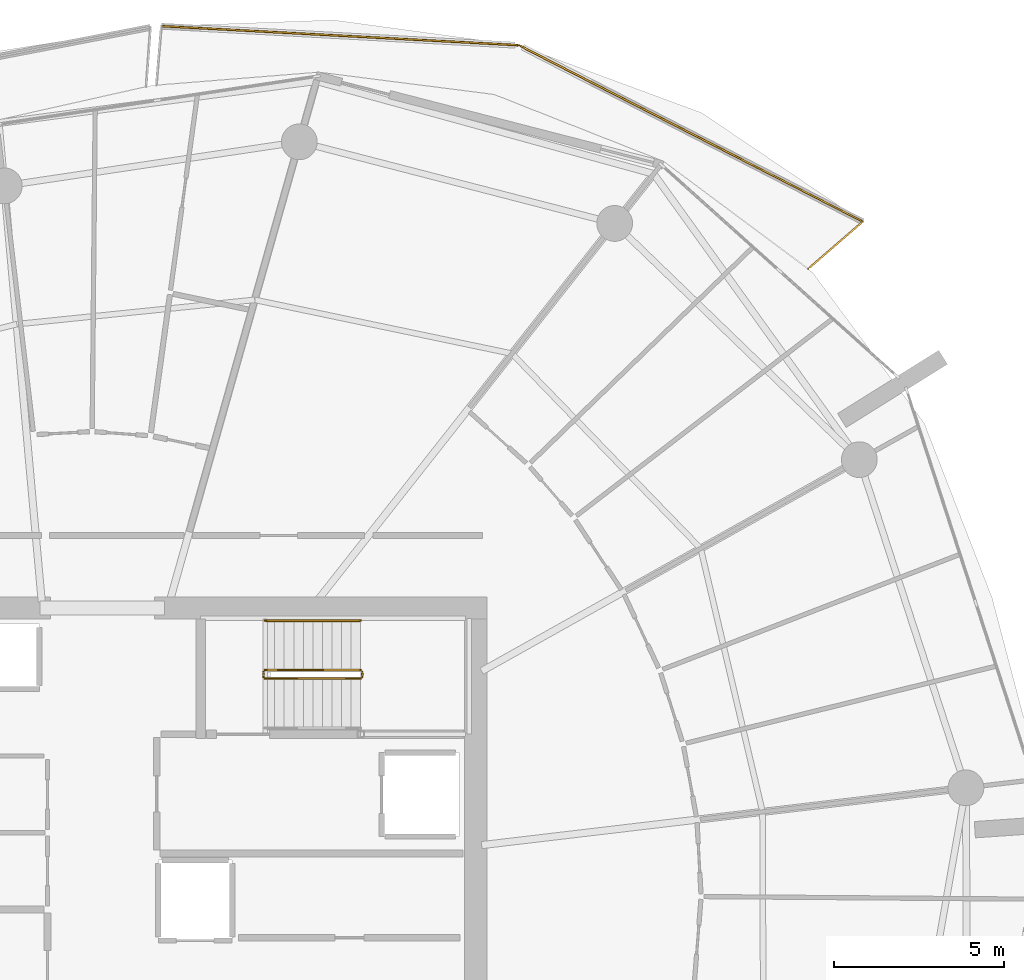
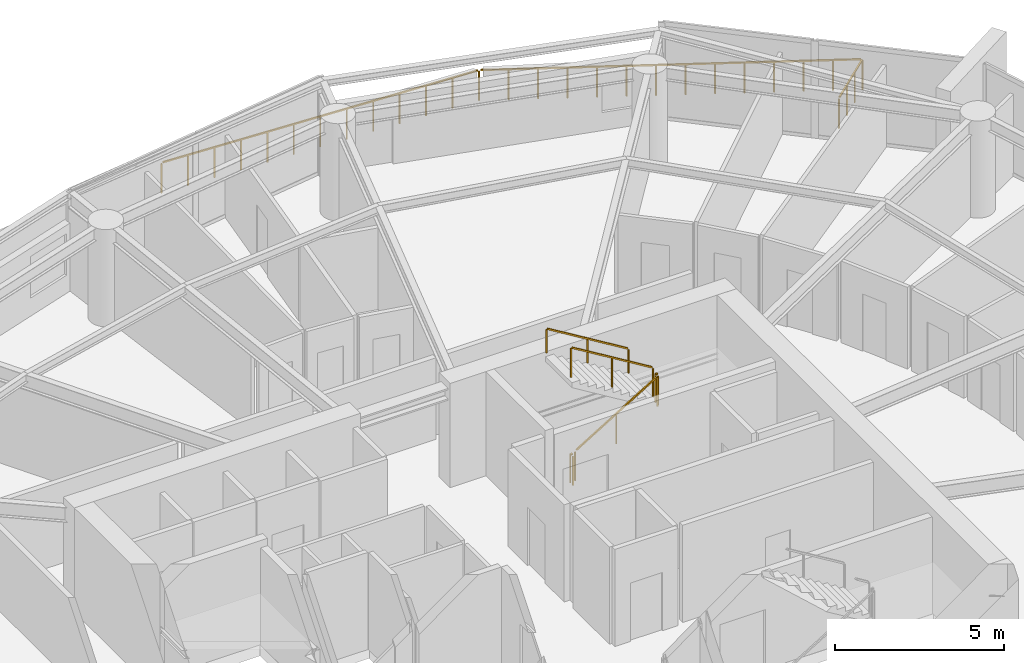
# One storey, part 21 of 21: 8 railings.
"""IFC4 building model written with IfcOpenShell, lengths in metres."""

from ifc_helpers import new_model, si_unit, direction, frame, origin, origin_2d, place, context, subcontext, project, spatial, rectangle, extrude, material, type_object, element, save


model = new_model("IFC4")

# Units and contexts
model_context = context("Model", 3, precision=1e-05, world=origin(), true_north=direction((0.0, 1.0)))
body_context = subcontext(model_context, "Body", "Model", "MODEL_VIEW")
ifc_project = project(units=[si_unit("LENGTHUNIT", "METRE"), si_unit("AREAUNIT", "SQUARE_METRE"), si_unit("VOLUMEUNIT", "CUBIC_METRE"), si_unit("PLANEANGLEUNIT", "RADIAN"), si_unit("MASSUNIT", "GRAM", prefix="KILO")], contexts=[model_context])

# Site, building, storey
site_placement = place(None, origin())
site = spatial("IfcSite", under=ifc_project, at=site_placement, CompositionType="ELEMENT")
building_placement = place(site_placement, origin())
building = spatial("IfcBuilding", under=site, at=building_placement, Name="Kazma Halo Residences", CompositionType="ELEMENT")
storey_placement = place(building_placement, frame((0.0, 0.0, 176.550048828125)))
storey = spatial("IfcBuildingStorey", under=building, at=storey_placement, Name="L44", CompositionType="ELEMENT", Elevation=176.550048828125)

# Railings
ifc_material_1 = material(Name="Aluminium AW-6063 T6 Brushed Cap Rail", Category="aluminium")
railing_type_1 = type_object("IfcRailingType", Name="RLG-BAL-CAP-1120", PredefinedType="BALUSTRADE", material=ifc_material_1)
railing_1_placement = place(storey_placement, frame((69.130126953125, 60.271240234375, 0.0)))
element("IfcRailing", 1, at=railing_1_placement, inside=storey, type_object=railing_type_1, Name="L44 NE wave balcony guard 1", PredefinedType="BALUSTRADE", context=body_context, shape_type="SweptSolid", body=[
    extrude(rectangle(XDim=0.050048828125, YDim=0.050048828125, at=origin_2d()), frame((0.0322265625, 0.02783203125, 1.09521484375), z_axis=(0.756463763216, 0.654035606783, 0.0), x_axis=(-0.654035606783, 0.756463763216, 0.0)), (0.0, 0.0, 1.0), 2.0244140625),
    extrude(rectangle(XDim=0.0400390625, YDim=0.0400390625, at=origin_2d()), origin(), (0.0, 0.0, 1.0), 1.05810546875),
    extrude(rectangle(XDim=0.0400390625, YDim=0.0400390625, at=origin_2d()), frame((0.531982421875, 0.4599609375, 0.0)), (0.0, 0.0, 1.0), 1.05810546875),
    extrude(rectangle(XDim=0.0400390625, YDim=0.0400390625, at=origin_2d()), frame((1.063720703125, 0.919677734375, 0.0)), (0.0, 0.0, 1.0), 1.05810546875),
    extrude(rectangle(XDim=0.0400390625, YDim=0.0400390625, at=origin_2d()), frame((1.595703125, 1.379638671875, 0.0)), (0.0, 0.0, 1.0), 1.05810546875),
])
railing_2_placement = place(storey_placement, frame((70.725830078125, 61.65087890625, 0.0)))
element("IfcRailing", 2, at=railing_2_placement, inside=storey, type_object=railing_type_1, Name="L44 NE wave balcony guard 2", PredefinedType="BALUSTRADE", context=body_context, shape_type="SweptSolid", body=[
    extrude(rectangle(XDim=0.050048828125, YDim=0.050048828125, at=origin_2d()), frame((-0.037841796875, 0.01953125, 1.09521484375), z_axis=(-0.889661682409, 0.456620291766, 0.0), x_axis=(-0.456620291766, -0.889661682409, 0.0)), (0.0, 0.0, 1.0), 11.242431640625),
    extrude(rectangle(XDim=0.0400390625, YDim=0.0400390625, at=origin_2d()), origin(), (0.0, 0.0, 1.0), 1.05810546875),
    extrude(rectangle(XDim=0.0400390625, YDim=0.0400390625, at=origin_2d()), frame((-0.775146484375, 0.39794921875, 0.0)), (0.0, 0.0, 1.0), 1.05810546875),
    extrude(rectangle(XDim=0.0400390625, YDim=0.0400390625, at=origin_2d()), frame((-1.55029296875, 0.795654296875, 0.0)), (0.0, 0.0, 1.0), 1.05810546875),
    extrude(rectangle(XDim=0.0400390625, YDim=0.0400390625, at=origin_2d()), frame((-2.32568359375, 1.193603515625, 0.0)), (0.0, 0.0, 1.0), 1.05810546875),
    extrude(rectangle(XDim=0.0400390625, YDim=0.0400390625, at=origin_2d()), frame((-3.100830078125, 1.591552734375, 0.0)), (0.0, 0.0, 1.0), 1.05810546875),
    extrude(rectangle(XDim=0.0400390625, YDim=0.0400390625, at=origin_2d()), frame((-3.8759765625, 1.9892578125, 0.0)), (0.0, 0.0, 1.0), 1.05810546875),
    extrude(rectangle(XDim=0.0400390625, YDim=0.0400390625, at=origin_2d()), frame((-4.651123046875, 2.38720703125, 0.0)), (0.0, 0.0, 1.0), 1.05810546875),
    extrude(rectangle(XDim=0.0400390625, YDim=0.0400390625, at=origin_2d()), frame((-5.426513671875, 2.78515625, 0.0)), (0.0, 0.0, 1.0), 1.05810546875),
    extrude(rectangle(XDim=0.0400390625, YDim=0.0400390625, at=origin_2d()), frame((-6.20166015625, 3.18310546875, 0.0)), (0.0, 0.0, 1.0), 1.05810546875),
    extrude(rectangle(XDim=0.0400390625, YDim=0.0400390625, at=origin_2d()), frame((-6.976806640625, 3.580810546875, 0.0)), (0.0, 0.0, 1.0), 1.05810546875),
    extrude(rectangle(XDim=0.0400390625, YDim=0.0400390625, at=origin_2d()), frame((-7.751953125, 3.978759765625, 0.0)), (0.0, 0.0, 1.0), 1.05810546875),
    extrude(rectangle(XDim=0.0400390625, YDim=0.0400390625, at=origin_2d()), frame((-8.52734375, 4.376708984375, 0.0)), (0.0, 0.0, 1.0), 1.05810546875),
    extrude(rectangle(XDim=0.0400390625, YDim=0.0400390625, at=origin_2d()), frame((-9.302490234375, 4.7744140625, 0.0)), (0.0, 0.0, 1.0), 1.05810546875),
    extrude(rectangle(XDim=0.0400390625, YDim=0.0400390625, at=origin_2d()), frame((-10.07763671875, 5.17236328125, 0.0)), (0.0, 0.0, 1.0), 1.05810546875),
])
railing_3_placement = place(storey_placement, frame((60.648193359375, 66.8232421875, 0.0)))
element("IfcRailing", 3, at=railing_3_placement, inside=storey, type_object=railing_type_1, Name="L44 NE wave balcony guard 3", PredefinedType="BALUSTRADE", context=body_context, shape_type="SweptSolid", body=[
    extrude(rectangle(XDim=0.050048828125, YDim=0.050048828125, at=origin_2d()), frame((-0.04248046875, 0.002197265625, 1.09521484375), z_axis=(-0.998572804147, 0.05340744159, 0.0), x_axis=(-0.05340744159, -0.998572804147, 0.0)), (0.0, 0.0, 1.0), 10.42431640625),
    extrude(rectangle(XDim=0.0400390625, YDim=0.0400390625, at=origin_2d()), origin(), (0.0, 0.0, 1.0), 1.05810546875),
    extrude(rectangle(XDim=0.0400390625, YDim=0.0400390625, at=origin_2d()), frame((-0.87451171875, 0.046875, 0.0)), (0.0, 0.0, 1.0), 1.05810546875),
    extrude(rectangle(XDim=0.0400390625, YDim=0.0400390625, at=origin_2d()), frame((-1.7490234375, 0.093505859375, 0.0)), (0.0, 0.0, 1.0), 1.05810546875),
    extrude(rectangle(XDim=0.0400390625, YDim=0.0400390625, at=origin_2d()), frame((-2.62353515625, 0.140380859375, 0.0)), (0.0, 0.0, 1.0), 1.05810546875),
    extrude(rectangle(XDim=0.0400390625, YDim=0.0400390625, at=origin_2d()), frame((-3.498046875, 0.18701171875, 0.0)), (0.0, 0.0, 1.0), 1.05810546875),
    extrude(rectangle(XDim=0.0400390625, YDim=0.0400390625, at=origin_2d()), frame((-4.37255859375, 0.23388671875, 0.0)), (0.0, 0.0, 1.0), 1.05810546875),
    extrude(rectangle(XDim=0.0400390625, YDim=0.0400390625, at=origin_2d()), frame((-5.2470703125, 0.28076171875, 0.0)), (0.0, 0.0, 1.0), 1.05810546875),
    extrude(rectangle(XDim=0.0400390625, YDim=0.0400390625, at=origin_2d()), frame((-6.121826171875, 0.327392578125, 0.0)), (0.0, 0.0, 1.0), 1.05810546875),
    extrude(rectangle(XDim=0.0400390625, YDim=0.0400390625, at=origin_2d()), frame((-6.996337890625, 0.374267578125, 0.0)), (0.0, 0.0, 1.0), 1.05810546875),
    extrude(rectangle(XDim=0.0400390625, YDim=0.0400390625, at=origin_2d()), frame((-7.870849609375, 0.4208984375, 0.0)), (0.0, 0.0, 1.0), 1.05810546875),
    extrude(rectangle(XDim=0.0400390625, YDim=0.0400390625, at=origin_2d()), frame((-8.745361328125, 0.4677734375, 0.0)), (0.0, 0.0, 1.0), 1.05810546875),
    extrude(rectangle(XDim=0.0400390625, YDim=0.0400390625, at=origin_2d()), frame((-9.619873046875, 0.514404296875, 0.0)), (0.0, 0.0, 1.0), 1.05810546875),
    extrude(rectangle(XDim=0.0400390625, YDim=0.0400390625, at=origin_2d()), frame((-10.494384765625, 0.561279296875, 0.0)), (0.0, 0.0, 1.0), 1.05810546875),
])
ifc_material_2 = material(Name="Painted Steel S355", Category="steel")
railing_type_2 = type_object("IfcRailingType", Name="RLG-STAIR-GRD-1100", PredefinedType="GUARDRAIL", material=ifc_material_2)
railing_4_placement = place(storey_placement, frame((53.199951171875, 48.25, 0.17041015625)))
element("IfcRailing", 4, at=railing_4_placement, inside=storey, type_object=railing_type_2, Name="L44 ST-02 stair guard 1", PredefinedType="GUARDRAIL", context=body_context, shape_type="SweptSolid", body=[
    extrude(rectangle(XDim=0.050048828125, YDim=0.050048828125, at=origin_2d()), frame((0.036376953125, 0.0, 1.09716796875), z_axis=(0.854169791009, 0.0, 0.51999420009), x_axis=(0.0, 1.0, 0.0)), (0.0, 0.0, 1.0), 3.193115234375),
    extrude(rectangle(XDim=0.0400390625, YDim=0.0400390625, at=origin_2d()), origin(), (0.0, 0.0, 1.0), 1.0380859375),
    extrude(rectangle(XDim=0.0400390625, YDim=0.0400390625, at=origin_2d()), frame((1.39990234375, 0.0, 0.852294921875)), (0.0, 0.0, 1.0), 1.0380859375),
    extrude(rectangle(XDim=0.0400390625, YDim=0.0400390625, at=origin_2d()), frame((2.800048828125, 0.0, 1.70458984375)), (0.0, 0.0, 1.0), 1.0380859375),
])
railing_5_placement = place(storey_placement, frame((56.050048828125, 48.300048828125, 1.875)))
element("IfcRailing", 5, at=railing_5_placement, inside=storey, type_object=railing_type_2, Name="L44 ST-02 stair guard 2", PredefinedType="GUARDRAIL", context=body_context, shape_type="SweptSolid", body=[
    extrude(rectangle(XDim=0.050048828125, YDim=0.050048828125, at=origin_2d()), frame((0.0, 0.04248046875, 1.0751953125), z_axis=(0.0, 1.0, 0.0), x_axis=(-1.0, 0.0, 0.0)), (0.0, 0.0, 1.0), 0.06494140625),
    extrude(rectangle(XDim=0.0400390625, YDim=0.0400390625, at=origin_2d()), origin(), (0.0, 0.0, 1.0), 1.0380859375),
    extrude(rectangle(XDim=0.0400390625, YDim=0.0400390625, at=origin_2d()), frame((0.0, 0.14990234375, 0.0)), (0.0, 0.0, 1.0), 1.0380859375),
])
railing_6_placement = place(storey_placement, frame((56.0, 48.5, 2.04541015625)))
element("IfcRailing", 6, at=railing_6_placement, inside=storey, type_object=railing_type_2, Name="L44 ST-02 stair guard 3", PredefinedType="GUARDRAIL", context=body_context, shape_type="SweptSolid", body=[
    extrude(rectangle(XDim=0.050048828125, YDim=0.050048828125, at=origin_2d()), frame((-0.036376953125, 0.0, 1.09716796875), z_axis=(-0.854169791009, 0.0, 0.51999420009), x_axis=(0.0, -1.0, 0.0)), (0.0, 0.0, 1.0), 3.193115234375),
    extrude(rectangle(XDim=0.0400390625, YDim=0.0400390625, at=origin_2d()), origin(), (0.0, 0.0, 1.0), 1.0380859375),
    extrude(rectangle(XDim=0.0400390625, YDim=0.0400390625, at=origin_2d()), frame((-1.39990234375, 0.0, 0.852294921875)), (0.0, 0.0, 1.0), 1.0380859375),
    extrude(rectangle(XDim=0.0400390625, YDim=0.0400390625, at=origin_2d()), frame((-2.800048828125, 0.0, 1.70458984375)), (0.0, 0.0, 1.0), 1.0380859375),
])
railing_7_placement = place(storey_placement, frame((53.14990234375, 48.300048828125, 0.0)))
element("IfcRailing", 7, at=railing_7_placement, inside=storey, type_object=railing_type_2, Name="L44 ST-02 stair guard 4", PredefinedType="GUARDRAIL", context=body_context, shape_type="SweptSolid", body=[
    extrude(rectangle(XDim=0.050048828125, YDim=0.050048828125, at=origin_2d()), frame((0.0, 0.04248046875, 1.0751953125), z_axis=(0.0, 1.0, 0.0), x_axis=(-1.0, 0.0, 0.0)), (0.0, 0.0, 1.0), 0.06494140625),
    extrude(rectangle(XDim=0.0400390625, YDim=0.0400390625, at=origin_2d()), origin(), (0.0, 0.0, 1.0), 1.0380859375),
    extrude(rectangle(XDim=0.0400390625, YDim=0.0400390625, at=origin_2d()), frame((0.0, 0.14990234375, 0.0)), (0.0, 0.0, 1.0), 1.0380859375),
])
ifc_material_3 = material(Name="Brushed Stainless Steel", Category="steel")
railing_type_3 = type_object("IfcRailingType", Name="RLG-STAIR-HND-900", PredefinedType="HANDRAIL", material=ifc_material_3)
railing_8_placement = place(storey_placement, frame((56.0, 49.949951171875, 2.04541015625)))
element("IfcRailing", 8, at=railing_8_placement, inside=storey, type_object=railing_type_3, Name="L44 ST-02 stair handrail 2", PredefinedType="HANDRAIL", context=body_context, shape_type="SweptSolid", body=[
    extrude(rectangle(XDim=0.050048828125, YDim=0.050048828125, at=origin_2d()), frame((-0.036376953125, 0.0, 0.89697265625), z_axis=(-0.854169791009, 0.0, 0.51999420009), x_axis=(0.0, -1.0, 0.0)), (0.0, 0.0, 1.0), 3.193115234375),
    extrude(rectangle(XDim=0.0400390625, YDim=0.0400390625, at=origin_2d()), origin(), (0.0, 0.0, 1.0), 0.837890625),
    extrude(rectangle(XDim=0.0400390625, YDim=0.0400390625, at=origin_2d()), frame((-1.39990234375, 0.0, 0.852294921875)), (0.0, 0.0, 1.0), 0.837890625),
    extrude(rectangle(XDim=0.0400390625, YDim=0.0400390625, at=origin_2d()), frame((-2.800048828125, 0.0, 1.70458984375)), (0.0, 0.0, 1.0), 0.837890625),
])

save(model, "model.ifc")
